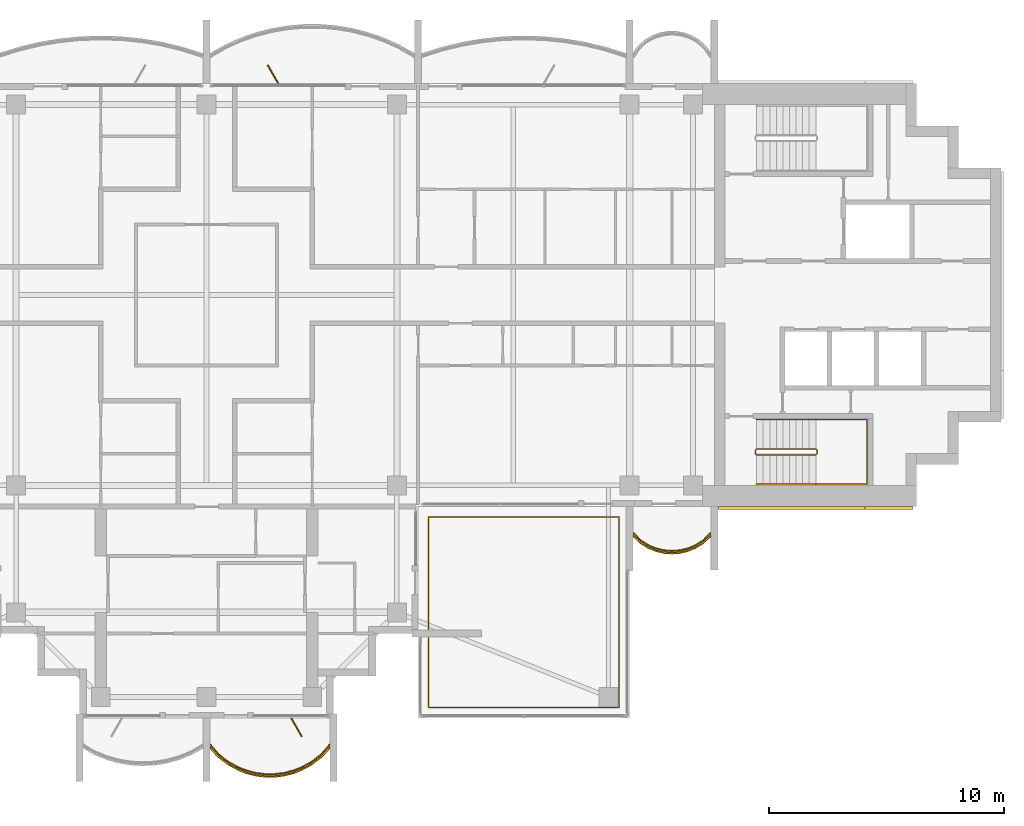
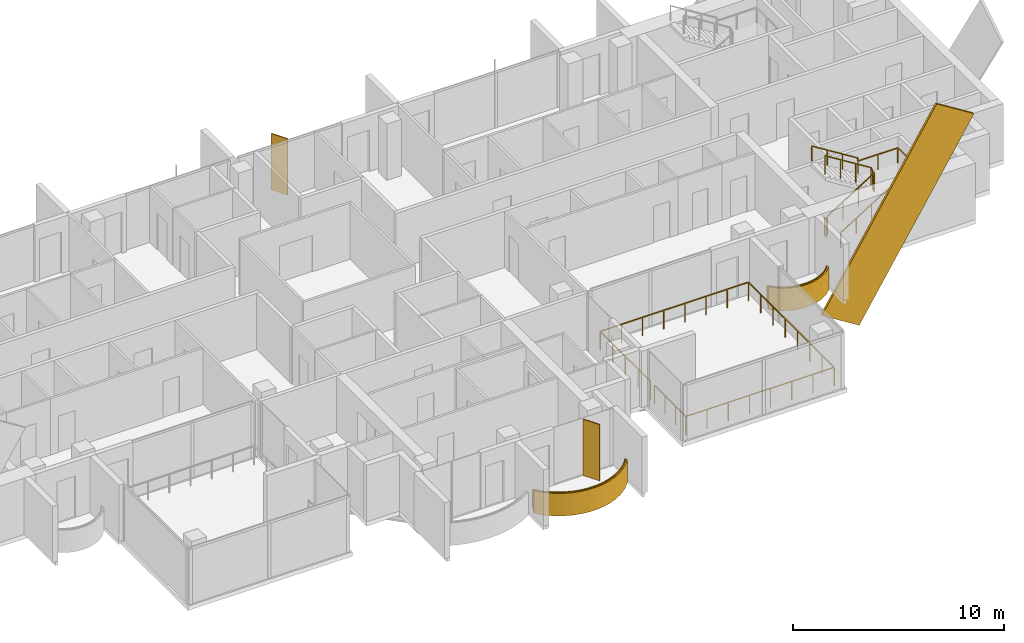
# One storey, part 15 of 16: 5 railings, 3 coverings, 2 shading devices.
"""IFC4 building model written with IfcOpenShell, lengths in metres."""

from ifc_helpers import new_model, si_unit, direction, frame, origin, origin_2d, place, context, subcontext, project, spatial, polyline, rectangle, outline, extrude, material, layer, layer_set, material_profile, profile_set, type_object, element, save


model = new_model("IFC4")

# Units and contexts
model_context = context("Model", 3, precision=1e-05, world=origin(), true_north=direction((0.0, 1.0)))
body_context = subcontext(model_context, "Body", "Model", "MODEL_VIEW")
ifc_project = project(units=[si_unit("LENGTHUNIT", "METRE"), si_unit("AREAUNIT", "SQUARE_METRE"), si_unit("VOLUMEUNIT", "CUBIC_METRE"), si_unit("PLANEANGLEUNIT", "RADIAN"), si_unit("MASSUNIT", "GRAM", prefix="KILO")], contexts=[model_context])

# Site, building, storey
site_placement = place(None, origin())
site = spatial("IfcSite", under=ifc_project, at=site_placement, CompositionType="ELEMENT")
building_placement = place(site_placement, origin())
building = spatial("IfcBuilding", under=site, at=building_placement, Name="Perihelion Cross Residences", CompositionType="ELEMENT")
storey_placement = place(building_placement, frame((0.0, 0.0, 239.5)))
storey = spatial("IfcBuildingStorey", under=building, at=storey_placement, Name="L60", CompositionType="ELEMENT", Elevation=239.5)

# Coverings
ifc_material_1 = material(Name="Bronze anodised aluminium", Category="aluminium")
ifc_layer_1 = layer(ifc_material_1, 0.070068359375)
ifc_layer_set_1 = layer_set([ifc_layer_1], Name="Balcony fascia 1300")
covering_type_1 = type_object("IfcCoveringType", Name="Balcony fascia 1300", PredefinedType="CLADDING", material=ifc_layer_set_1)
covering_1_placement = place(storey_placement, frame((0.0, 0.0, -0.199951171875)))
element("IfcCovering", 1, at=covering_1_placement, inside=storey, type_object=covering_type_1, Name="Fascia BF1 L60 south tip south bay 2", PredefinedType="CLADDING", context=body_context, shape_type="SweptSolid", body=[
    extrude(outline(polyline([(0.4951171875, -19.674072265625), (0.89599609375, -19.982666015625), (1.296875, -20.20654296875), (1.69775390625, -20.364013671875), (2.0986328125, -20.464599609375), (2.49951171875, -20.513916015625), (2.900390625, -20.513916015625), (3.30126953125, -20.464599609375), (3.7021484375, -20.364013671875), (4.10302734375, -20.20654296875), (4.50390625, -19.982666015625), (4.90478515625, -19.674072265625), (5.25, -19.302734375), (5.25, -19.199951171875), (4.857666015625, -19.622314453125), (4.46533203125, -19.924072265625), (4.072998046875, -20.143310546875), (3.6806640625, -20.29736328125), (3.28857421875, -20.39599609375), (2.896240234375, -20.444091796875), (2.50390625, -20.444091796875), (2.111572265625, -20.39599609375), (1.71923828125, -20.29736328125), (1.326904296875, -20.143310546875), (0.9345703125, -19.924072265625), (0.542236328125, -19.622314453125), (0.14990234375, -19.199951171875), (0.14990234375, -19.302734375), (0.4951171875, -19.674072265625)])), origin(), (0.0, 0.0, 1.0), 1.300048828125),
])
covering_2_placement = place(storey_placement, frame((0.0, 0.0, -0.199951171875)))
element("IfcCovering", 2, at=covering_2_placement, inside=storey, type_object=covering_type_1, Name="Fascia BF1 L60 east side south bay 2", PredefinedType="CLADDING", context=body_context, shape_type="SweptSolid", body=[
    extrude(outline(polyline([(18.4375, -10.56298828125), (18.778076171875, -10.77587890625), (19.11865234375, -10.914794921875), (19.45947265625, -10.994140625), (19.800048828125, -11.02001953125), (20.140625, -10.994140625), (20.481201171875, -10.914794921875), (20.82177734375, -10.77587890625), (21.16259765625, -10.56298828125), (21.449951171875, -10.295654296875), (21.449951171875, -10.199951171875), (21.1201171875, -10.507568359375), (20.7900390625, -10.71337890625), (20.4599609375, -10.84814453125), (20.1298828125, -10.925048828125), (19.800048828125, -10.949951171875), (19.469970703125, -10.925048828125), (19.139892578125, -10.84814453125), (18.81005859375, -10.71337890625), (18.47998046875, -10.507568359375), (18.14990234375, -10.199951171875), (18.14990234375, -10.295654296875), (18.4375, -10.56298828125)])), origin(), (0.0, 0.0, 1.0), 1.300048828125),
])

# Railings
ifc_material_2 = material(Name="Bronze anodised aluminium", Category="aluminium")
railing_type_1 = type_object("IfcRailingType", Name="Balcony guard 1100", PredefinedType="GUARDRAIL", material=ifc_material_2)
railing_1_placement = place(storey_placement, frame((0.175048828125, -19.139892578125, 0.0)))
element("IfcRailing", 3, at=railing_1_placement, inside=storey, type_object=railing_type_1, Name="Guard GU1 L60 south tip south bay 2 balcony", PredefinedType="GUARDRAIL", context=body_context, shape_type="SweptSolid", body=[
    extrude(rectangle(XDim=0.048095703125, YDim=0.048095703125, at=origin_2d()), frame((0.0, 0.0, 1.076171875), z_axis=(0.656092309534, -0.754680648599, 0.0), x_axis=(0.754680648599, 0.656092309534, 0.0)), (0.0, 0.0, 1.0), 0.5595703125),
    extrude(rectangle(XDim=0.048095703125, YDim=0.048095703125, at=origin_2d()), frame((0.3671875, -0.42236328125, 1.076171875), z_axis=(0.792660660899, -0.60966308455, 0.0), x_axis=(0.60966308455, 0.792660660899, 0.0)), (0.0, 0.0, 1.0), 0.494873046875),
    extrude(rectangle(XDim=0.048095703125, YDim=0.048095703125, at=origin_2d()), frame((0.759521484375, -0.72412109375, 1.076171875), z_axis=(0.872950285698, -0.487809182674, 0.0), x_axis=(0.487809182674, 0.872950285698, 0.0)), (0.0, 0.0, 1.0), 0.449462890625),
    extrude(rectangle(XDim=0.048095703125, YDim=0.048095703125, at=origin_2d()), frame((1.15185546875, -0.943359375, 1.076171875), z_axis=(0.930814842219, -0.365491079925, 0.0), x_axis=(0.365491079925, 0.930814842219, 0.0)), (0.0, 0.0, 1.0), 0.42138671875),
    extrude(rectangle(XDim=0.048095703125, YDim=0.048095703125, at=origin_2d()), frame((1.544189453125, -1.097412109375, 1.076171875), z_axis=(0.969822159145, -0.243813411509, 0.0), x_axis=(0.243813411509, 0.969822159145, 0.0)), (0.0, 0.0, 1.0), 0.404541015625),
    extrude(rectangle(XDim=0.048095703125, YDim=0.048095703125, at=origin_2d()), frame((1.9365234375, -1.196044921875, 1.076171875), z_axis=(0.992569651699, -0.121677797999, 0.0), x_axis=(0.121677797999, 0.992569651699, 0.0)), (0.0, 0.0, 1.0), 0.395263671875),
    extrude(rectangle(XDim=0.048095703125, YDim=0.048095703125, at=origin_2d()), frame((2.328857421875, -1.244140625, 1.076171875), z_axis=(1.0, 0.0, 0.0), x_axis=(0.0, 1.0, 0.0)), (0.0, 0.0, 1.0), 0.392333984375),
    extrude(rectangle(XDim=0.048095703125, YDim=0.048095703125, at=origin_2d()), frame((2.72119140625, -1.244140625, 1.076171875), z_axis=(0.992569651699, 0.121677797999, 0.0), x_axis=(-0.121677797999, 0.992569651699, 0.0)), (0.0, 0.0, 1.0), 0.395263671875),
    extrude(rectangle(XDim=0.048095703125, YDim=0.048095703125, at=origin_2d()), frame((3.113525390625, -1.196044921875, 1.076171875), z_axis=(0.969786252666, 0.243956193074, 0.0), x_axis=(-0.243956193074, 0.969786252666, 0.0)), (0.0, 0.0, 1.0), 0.404296875),
    extrude(rectangle(XDim=0.048095703125, YDim=0.048095703125, at=origin_2d()), frame((3.505615234375, -1.097412109375, 1.076171875), z_axis=(0.930814842219, 0.365491079925, 0.0), x_axis=(-0.365491079925, 0.930814842219, 0.0)), (0.0, 0.0, 1.0), 0.42138671875),
    extrude(rectangle(XDim=0.048095703125, YDim=0.048095703125, at=origin_2d()), frame((3.89794921875, -0.943359375, 1.076171875), z_axis=(0.872950285698, 0.487809182674, 0.0), x_axis=(-0.487809182674, 0.872950285698, 0.0)), (0.0, 0.0, 1.0), 0.449462890625),
    extrude(rectangle(XDim=0.048095703125, YDim=0.048095703125, at=origin_2d()), frame((4.290283203125, -0.72412109375, 1.076171875), z_axis=(0.792660660899, 0.60966308455, 0.0), x_axis=(-0.60966308455, 0.792660660899, 0.0)), (0.0, 0.0, 1.0), 0.494873046875),
    extrude(rectangle(XDim=0.048095703125, YDim=0.048095703125, at=origin_2d()), frame((4.6826171875, -0.42236328125, 1.076171875), z_axis=(0.656340655493, 0.754464673757, 0.0), x_axis=(-0.754464673757, 0.656340655493, 0.0)), (0.0, 0.0, 1.0), 0.559814453125),
    extrude(rectangle(XDim=0.0419921875, YDim=0.0419921875, at=origin_2d()), origin(), (0.0, 0.0, 1.0), 1.052001953125),
    extrude(rectangle(XDim=0.0419921875, YDim=0.0419921875, at=origin_2d()), frame((0.3671875, -0.42236328125, 0.0)), (0.0, 0.0, 1.0), 1.052001953125),
    extrude(rectangle(XDim=0.0419921875, YDim=0.0419921875, at=origin_2d()), frame((0.759521484375, -0.72412109375, 0.0)), (0.0, 0.0, 1.0), 1.052001953125),
    extrude(rectangle(XDim=0.0419921875, YDim=0.0419921875, at=origin_2d()), frame((1.15185546875, -0.943359375, 0.0)), (0.0, 0.0, 1.0), 1.052001953125),
    extrude(rectangle(XDim=0.0419921875, YDim=0.0419921875, at=origin_2d()), frame((1.544189453125, -1.097412109375, 0.0)), (0.0, 0.0, 1.0), 1.052001953125),
    extrude(rectangle(XDim=0.0419921875, YDim=0.0419921875, at=origin_2d()), frame((1.9365234375, -1.196044921875, 0.0)), (0.0, 0.0, 1.0), 1.052001953125),
    extrude(rectangle(XDim=0.0419921875, YDim=0.0419921875, at=origin_2d()), frame((2.328857421875, -1.244140625, 0.0)), (0.0, 0.0, 1.0), 1.052001953125),
    extrude(rectangle(XDim=0.0419921875, YDim=0.0419921875, at=origin_2d()), frame((2.72119140625, -1.244140625, 0.0)), (0.0, 0.0, 1.0), 1.052001953125),
    extrude(rectangle(XDim=0.0419921875, YDim=0.0419921875, at=origin_2d()), frame((3.113525390625, -1.196044921875, 0.0)), (0.0, 0.0, 1.0), 1.052001953125),
    extrude(rectangle(XDim=0.0419921875, YDim=0.0419921875, at=origin_2d()), frame((3.505615234375, -1.097412109375, 0.0)), (0.0, 0.0, 1.0), 1.052001953125),
    extrude(rectangle(XDim=0.0419921875, YDim=0.0419921875, at=origin_2d()), frame((3.89794921875, -0.943359375, 0.0)), (0.0, 0.0, 1.0), 1.052001953125),
    extrude(rectangle(XDim=0.0419921875, YDim=0.0419921875, at=origin_2d()), frame((4.290283203125, -0.72412109375, 0.0)), (0.0, 0.0, 1.0), 1.052001953125),
    extrude(rectangle(XDim=0.0419921875, YDim=0.0419921875, at=origin_2d()), frame((4.6826171875, -0.42236328125, 0.0)), (0.0, 0.0, 1.0), 1.052001953125),
    extrude(rectangle(XDim=0.0419921875, YDim=0.0419921875, at=origin_2d()), frame((5.050048828125, 0.0, 0.0)), (0.0, 0.0, 1.0), 1.052001953125),
])
railing_2_placement = place(storey_placement, frame((18.175048828125, -10.139892578125, 0.0)))
element("IfcRailing", 4, at=railing_2_placement, inside=storey, type_object=railing_type_1, Name="Guard GU1 L60 east side south bay 2 balcony", PredefinedType="GUARDRAIL", context=body_context, shape_type="SweptSolid", body=[
    extrude(rectangle(XDim=0.048095703125, YDim=0.048095703125, at=origin_2d()), frame((0.0, 0.0, 1.076171875), z_axis=(0.703999905859, -0.710200065158, 0.0), x_axis=(0.710200065158, 0.703999905859, 0.0)), (0.0, 0.0, 1.0), 0.43310546875),
    extrude(rectangle(XDim=0.048095703125, YDim=0.048095703125, at=origin_2d()), frame((0.304931640625, -0.3076171875, 1.076171875), z_axis=(0.848280173265, -0.529547682127, 0.0), x_axis=(0.529547682127, 0.848280173265, 0.0)), (0.0, 0.0, 1.0), 0.38916015625),
    extrude(rectangle(XDim=0.048095703125, YDim=0.048095703125, at=origin_2d()), frame((0.635009765625, -0.513671875, 1.076171875), z_axis=(0.925950379976, -0.377645195682, 0.0), x_axis=(0.377645195682, 0.925950379976, 0.0)), (0.0, 0.0, 1.0), 0.356201171875),
    extrude(rectangle(XDim=0.048095703125, YDim=0.048095703125, at=origin_2d()), frame((0.96484375, -0.648193359375, 1.076171875), z_axis=(0.97391554583, -0.226910796551, 0.0), x_axis=(0.226910796551, 0.97391554583, 0.0)), (0.0, 0.0, 1.0), 0.3388671875),
    extrude(rectangle(XDim=0.048095703125, YDim=0.048095703125, at=origin_2d()), frame((1.294921875, -0.72509765625, 1.076171875), z_axis=(0.997166208737, -0.075229995038, 0.0), x_axis=(0.075229995038, 0.997166208737, 0.0)), (0.0, 0.0, 1.0), 0.3310546875),
    extrude(rectangle(XDim=0.048095703125, YDim=0.048095703125, at=origin_2d()), frame((1.625, -0.75, 1.076171875), z_axis=(0.997162029931, 0.075285364214, 0.0), x_axis=(-0.075285364214, 0.997162029931, 0.0)), (0.0, 0.0, 1.0), 0.330810546875),
    extrude(rectangle(XDim=0.048095703125, YDim=0.048095703125, at=origin_2d()), frame((1.954833984375, -0.72509765625, 1.076171875), z_axis=(0.97391554583, 0.226910796551, 0.0), x_axis=(-0.226910796551, 0.97391554583, 0.0)), (0.0, 0.0, 1.0), 0.3388671875),
    extrude(rectangle(XDim=0.048095703125, YDim=0.048095703125, at=origin_2d()), frame((2.284912109375, -0.648193359375, 1.076171875), z_axis=(0.926048033295, 0.377405670374, 0.0), x_axis=(-0.377405670374, 0.926048033295, 0.0)), (0.0, 0.0, 1.0), 0.3564453125),
    extrude(rectangle(XDim=0.048095703125, YDim=0.048095703125, at=origin_2d()), frame((2.614990234375, -0.513671875, 1.076171875), z_axis=(0.848280173265, 0.529547682127, 0.0), x_axis=(-0.529547682127, 0.848280173265, 0.0)), (0.0, 0.0, 1.0), 0.38916015625),
    extrude(rectangle(XDim=0.048095703125, YDim=0.048095703125, at=origin_2d()), frame((2.945068359375, -0.3076171875, 1.076171875), z_axis=(0.703999905859, 0.710200065158, 0.0), x_axis=(-0.710200065158, 0.703999905859, 0.0)), (0.0, 0.0, 1.0), 0.43310546875),
    extrude(rectangle(XDim=0.0419921875, YDim=0.0419921875, at=origin_2d()), origin(), (0.0, 0.0, 1.0), 1.052001953125),
    extrude(rectangle(XDim=0.0419921875, YDim=0.0419921875, at=origin_2d()), frame((0.304931640625, -0.3076171875, 0.0)), (0.0, 0.0, 1.0), 1.052001953125),
    extrude(rectangle(XDim=0.0419921875, YDim=0.0419921875, at=origin_2d()), frame((0.635009765625, -0.513671875, 0.0)), (0.0, 0.0, 1.0), 1.052001953125),
    extrude(rectangle(XDim=0.0419921875, YDim=0.0419921875, at=origin_2d()), frame((0.96484375, -0.648193359375, 0.0)), (0.0, 0.0, 1.0), 1.052001953125),
    extrude(rectangle(XDim=0.0419921875, YDim=0.0419921875, at=origin_2d()), frame((1.294921875, -0.72509765625, 0.0)), (0.0, 0.0, 1.0), 1.052001953125),
    extrude(rectangle(XDim=0.0419921875, YDim=0.0419921875, at=origin_2d()), frame((1.625, -0.75, 0.0)), (0.0, 0.0, 1.0), 1.052001953125),
    extrude(rectangle(XDim=0.0419921875, YDim=0.0419921875, at=origin_2d()), frame((1.954833984375, -0.72509765625, 0.0)), (0.0, 0.0, 1.0), 1.052001953125),
    extrude(rectangle(XDim=0.0419921875, YDim=0.0419921875, at=origin_2d()), frame((2.284912109375, -0.648193359375, 0.0)), (0.0, 0.0, 1.0), 1.052001953125),
    extrude(rectangle(XDim=0.0419921875, YDim=0.0419921875, at=origin_2d()), frame((2.614990234375, -0.513671875, 0.0)), (0.0, 0.0, 1.0), 1.052001953125),
    extrude(rectangle(XDim=0.0419921875, YDim=0.0419921875, at=origin_2d()), frame((2.945068359375, -0.3076171875, 0.0)), (0.0, 0.0, 1.0), 1.052001953125),
    extrude(rectangle(XDim=0.0419921875, YDim=0.0419921875, at=origin_2d()), frame((3.25, 0.0, 0.0)), (0.0, 0.0, 1.0), 1.052001953125),
])
railing_3_placement = place(storey_placement, frame((9.449951171875, -14.2099609375, 0.0)))
element("IfcRailing", 5, at=railing_3_placement, inside=storey, type_object=railing_type_1, Name="Guard GU1 L60 pocket south-east 1", PredefinedType="GUARDRAIL", context=body_context, shape_type="SweptSolid", body=[
    extrude(rectangle(XDim=0.048095703125, YDim=0.048095703125, at=origin_2d()), frame((0.0, 0.0, 1.076171875), z_axis=(0.0, 1.0, 0.0), x_axis=(-1.0, 0.0, 0.0)), (0.0, 0.0, 1.0), 4.760009765625),
    extrude(rectangle(XDim=0.048095703125, YDim=0.048095703125, at=origin_2d()), frame((0.0, 4.760009765625, 1.076171875), z_axis=(1.0, 0.0, 0.0), x_axis=(0.0, 1.0, 0.0)), (0.0, 0.0, 1.0), 8.10009765625),
    extrude(rectangle(XDim=0.048095703125, YDim=0.048095703125, at=origin_2d()), frame((8.10009765625, 4.760009765625, 1.076171875), z_axis=(0.0, -1.0, 0.0), x_axis=(1.0, 0.0, 0.0)), (0.0, 0.0, 1.0), 8.10009765625),
    extrude(rectangle(XDim=0.048095703125, YDim=0.048095703125, at=origin_2d()), frame((8.10009765625, -3.340087890625, 1.076171875), z_axis=(-1.0, 0.0, 0.0), x_axis=(0.0, -1.0, 0.0)), (0.0, 0.0, 1.0), 8.10009765625),
    extrude(rectangle(XDim=0.048095703125, YDim=0.048095703125, at=origin_2d()), frame((0.0, -3.340087890625, 1.076171875), z_axis=(0.0, 1.0, 0.0), x_axis=(-1.0, 0.0, 0.0)), (0.0, 0.0, 1.0), 2.9599609375),
    extrude(rectangle(XDim=0.0419921875, YDim=0.0419921875, at=origin_2d()), origin(), (0.0, 0.0, 1.0), 1.052001953125),
    extrude(rectangle(XDim=0.0419921875, YDim=0.0419921875, at=origin_2d()), frame((0.0, 1.18994140625, 0.0)), (0.0, 0.0, 1.0), 1.052001953125),
    extrude(rectangle(XDim=0.0419921875, YDim=0.0419921875, at=origin_2d()), frame((0.0, 2.3798828125, 0.0)), (0.0, 0.0, 1.0), 1.052001953125),
    extrude(rectangle(XDim=0.0419921875, YDim=0.0419921875, at=origin_2d()), frame((0.0, 3.570068359375, 0.0)), (0.0, 0.0, 1.0), 1.052001953125),
    extrude(rectangle(XDim=0.0419921875, YDim=0.0419921875, at=origin_2d()), frame((0.0, 4.760009765625, 0.0)), (0.0, 0.0, 1.0), 1.052001953125),
    extrude(rectangle(XDim=0.0419921875, YDim=0.0419921875, at=origin_2d()), frame((1.1572265625, 4.760009765625, 0.0)), (0.0, 0.0, 1.0), 1.052001953125),
    extrude(rectangle(XDim=0.0419921875, YDim=0.0419921875, at=origin_2d()), frame((2.314208984375, 4.760009765625, 0.0)), (0.0, 0.0, 1.0), 1.052001953125),
    extrude(rectangle(XDim=0.0419921875, YDim=0.0419921875, at=origin_2d()), frame((3.471435546875, 4.760009765625, 0.0)), (0.0, 0.0, 1.0), 1.052001953125),
    extrude(rectangle(XDim=0.0419921875, YDim=0.0419921875, at=origin_2d()), frame((4.628662109375, 4.760009765625, 0.0)), (0.0, 0.0, 1.0), 1.052001953125),
    extrude(rectangle(XDim=0.0419921875, YDim=0.0419921875, at=origin_2d()), frame((5.785888671875, 4.760009765625, 0.0)), (0.0, 0.0, 1.0), 1.052001953125),
    extrude(rectangle(XDim=0.0419921875, YDim=0.0419921875, at=origin_2d()), frame((6.94287109375, 4.760009765625, 0.0)), (0.0, 0.0, 1.0), 1.052001953125),
    extrude(rectangle(XDim=0.0419921875, YDim=0.0419921875, at=origin_2d()), frame((8.10009765625, 4.760009765625, 0.0)), (0.0, 0.0, 1.0), 1.052001953125),
    extrude(rectangle(XDim=0.0419921875, YDim=0.0419921875, at=origin_2d()), frame((8.10009765625, 3.602783203125, 0.0)), (0.0, 0.0, 1.0), 1.052001953125),
    extrude(rectangle(XDim=0.0419921875, YDim=0.0419921875, at=origin_2d()), frame((8.10009765625, 2.44580078125, 0.0)), (0.0, 0.0, 1.0), 1.052001953125),
    extrude(rectangle(XDim=0.0419921875, YDim=0.0419921875, at=origin_2d()), frame((8.10009765625, 1.28857421875, 0.0)), (0.0, 0.0, 1.0), 1.052001953125),
    extrude(rectangle(XDim=0.0419921875, YDim=0.0419921875, at=origin_2d()), frame((8.10009765625, 0.13134765625, 0.0)), (0.0, 0.0, 1.0), 1.052001953125),
    extrude(rectangle(XDim=0.0419921875, YDim=0.0419921875, at=origin_2d()), frame((8.10009765625, -1.02587890625, 0.0)), (0.0, 0.0, 1.0), 1.052001953125),
    extrude(rectangle(XDim=0.0419921875, YDim=0.0419921875, at=origin_2d()), frame((8.10009765625, -2.182861328125, 0.0)), (0.0, 0.0, 1.0), 1.052001953125),
    extrude(rectangle(XDim=0.0419921875, YDim=0.0419921875, at=origin_2d()), frame((8.10009765625, -3.340087890625, 0.0)), (0.0, 0.0, 1.0), 1.052001953125),
    extrude(rectangle(XDim=0.0419921875, YDim=0.0419921875, at=origin_2d()), frame((6.94287109375, -3.340087890625, 0.0)), (0.0, 0.0, 1.0), 1.052001953125),
    extrude(rectangle(XDim=0.0419921875, YDim=0.0419921875, at=origin_2d()), frame((5.785888671875, -3.340087890625, 0.0)), (0.0, 0.0, 1.0), 1.052001953125),
    extrude(rectangle(XDim=0.0419921875, YDim=0.0419921875, at=origin_2d()), frame((4.628662109375, -3.340087890625, 0.0)), (0.0, 0.0, 1.0), 1.052001953125),
    extrude(rectangle(XDim=0.0419921875, YDim=0.0419921875, at=origin_2d()), frame((3.471435546875, -3.340087890625, 0.0)), (0.0, 0.0, 1.0), 1.052001953125),
    extrude(rectangle(XDim=0.0419921875, YDim=0.0419921875, at=origin_2d()), frame((2.314208984375, -3.340087890625, 0.0)), (0.0, 0.0, 1.0), 1.052001953125),
    extrude(rectangle(XDim=0.0419921875, YDim=0.0419921875, at=origin_2d()), frame((1.1572265625, -3.340087890625, 0.0)), (0.0, 0.0, 1.0), 1.052001953125),
    extrude(rectangle(XDim=0.0419921875, YDim=0.0419921875, at=origin_2d()), frame((0.0, -3.340087890625, 0.0)), (0.0, 0.0, 1.0), 1.052001953125),
    extrude(rectangle(XDim=0.0419921875, YDim=0.0419921875, at=origin_2d()), frame((0.0, -2.353515625, 0.0)), (0.0, 0.0, 1.0), 1.052001953125),
    extrude(rectangle(XDim=0.0419921875, YDim=0.0419921875, at=origin_2d()), frame((0.0, -1.36669921875, 0.0)), (0.0, 0.0, 1.0), 1.052001953125),
    extrude(rectangle(XDim=0.0419921875, YDim=0.0419921875, at=origin_2d()), frame((0.0, -0.380126953125, 0.0)), (0.0, 0.0, 1.0), 1.052001953125),
])

# Covering
ifc_material_3 = material(Name="Bronze anodised aluminium", Category="aluminium")
ifc_material_profile = material_profile(ifc_material_3, rectangle(XDim=0.125, YDim=2.39990234375, at=origin_2d()), Name="Bronze cladding band 2400")
ifc_profile_set = profile_set([ifc_material_profile], Name="Bronze anodised aluminium")
covering_type_2 = type_object("IfcCoveringType", Name="Bronze cladding band 2400", PredefinedType="CLADDING", material=ifc_profile_set)
covering_3_placement = place(storey_placement, frame((22.767578125, -9.0625, -3.15478515625), z_axis=(0.529915403603, 0.0, 0.848050508534), x_axis=(0.0, 1.0, 0.0)))
element("IfcCovering", 6, at=covering_3_placement, inside=storey, type_object=covering_type_2, Name="Core cladding band, east core", PredefinedType="CLADDING", context=body_context, shape_type="SweptSolid", body=[
    extrude(rectangle(XDim=0.125, YDim=2.39990234375, at=origin_2d()), origin(), (0.0, 0.0, 1.0), 11.822021484375),
])

# Shading devices
ifc_material_4 = material(Name="Bronze anodised aluminium", Category="aluminium")
ifc_layer_2 = layer(ifc_material_4, 0.050048828125)
ifc_layer_set_2 = layer_set([ifc_layer_2], Name="Bronze fin 900")
shading_device_type = type_object("IfcShadingDeviceType", Name="Bronze fin 900", PredefinedType="USERDEFINED", material=ifc_layer_set_2)
for number, where, z_axis, x_axis, name in (
    (7, (2.824951171875, 9.3896484375, 0.0), (0.0, 0.0, 1.0), (-0.5, 0.866025403784, 0.0), "Fin FN1 L60 north side east bay 1"),
    (8, (3.824951171875, -18.3896484375, 0.0), (0.0, 0.0, 1.0), (0.5, -0.866025403784, 0.0), "Fin FN1 L60 south tip south bay 2"),
):
    element("IfcShadingDevice", number, at=place(storey_placement, frame(where, z_axis=z_axis, x_axis=x_axis)), inside=storey, type_object=shading_device_type, Name=name, ObjectType="FIN", PredefinedType="USERDEFINED", context=body_context, shape_type="SweptSolid", body=[
        extrude(rectangle(XDim=0.89990234375, YDim=0.050048828125, at=origin_2d()), origin(), (0.0, 0.0, 1.0), 3.25),
    ])

# Railings
ifc_material_5 = material(Name="Stainless steel", Category="steel")
railing_type_2 = type_object("IfcRailingType", Name="Stair guard 1100", PredefinedType="GUARDRAIL", material=ifc_material_5)
railing_4_placement = place(storey_placement, frame((23.35009765625, -6.60009765625, 0.0)))
element("IfcRailing", 9, at=railing_4_placement, inside=storey, type_object=railing_type_2, Name="L60 ST-E2 stair guard 1", PredefinedType="GUARDRAIL", context=body_context, shape_type="SweptSolid", body=[
    extrude(rectangle(XDim=0.048095703125, YDim=0.048095703125, at=origin_2d()), frame((0.0, 0.0, 1.076171875), z_axis=(0.0, -1.0, 0.0), x_axis=(1.0, 0.0, 0.0)), (0.0, 0.0, 1.0), 0.14990234375),
    extrude(rectangle(XDim=0.048095703125, YDim=0.048095703125, at=origin_2d()), frame((0.0, -0.14990234375, 1.076171875), z_axis=(0.263862480399, -0.265155923931, 0.927399011991), x_axis=(0.708833529934, 0.705375805398, 0.0)), (0.0, 0.0, 1.0), 0.188720703125),
    extrude(rectangle(XDim=0.048095703125, YDim=0.048095703125, at=origin_2d()), frame((0.0498046875, -0.199951171875, 1.2509765625), z_axis=(0.848007534815, 0.0, 0.529984170421), x_axis=(0.0, 1.0, 0.0)), (0.0, 0.0, 1.0), 2.9716796875),
    extrude(rectangle(XDim=0.048095703125, YDim=0.048095703125, at=origin_2d()), frame((2.56982421875, -0.199951171875, 2.826171875), z_axis=(0.707106781187, 0.707106781187, 0.0), x_axis=(-0.707106781187, 0.707106781187, 0.0)), (0.0, 0.0, 1.0), 0.07080078125),
    extrude(rectangle(XDim=0.048095703125, YDim=0.048095703125, at=origin_2d()), frame((2.619873046875, -0.14990234375, 2.826171875), z_axis=(0.0, 1.0, 0.0), x_axis=(-1.0, 0.0, 0.0)), (0.0, 0.0, 1.0), 0.14990234375),
    extrude(rectangle(XDim=0.048095703125, YDim=0.048095703125, at=origin_2d()), frame((2.619873046875, 0.0, 2.826171875), z_axis=(-0.265065253269, 0.265065253269, 0.927081885822), x_axis=(-0.707106781187, -0.707106781187, 0.0)), (0.0, 0.0, 1.0), 0.188720703125),
    extrude(rectangle(XDim=0.048095703125, YDim=0.048095703125, at=origin_2d()), frame((2.56982421875, 0.050048828125, 3.0009765625), z_axis=(-0.848007534815, 0.0, 0.529984170421), x_axis=(0.0, -1.0, 0.0)), (0.0, 0.0, 1.0), 2.9716796875),
    extrude(rectangle(XDim=0.0419921875, YDim=0.0419921875, at=origin_2d()), origin(), (0.0, 0.0, 1.0), 1.052001953125),
    extrude(rectangle(XDim=0.0419921875, YDim=0.0419921875, at=origin_2d()), frame((0.0, -0.14990234375, 0.0)), (0.0, 0.0, 1.0), 1.052001953125),
    extrude(rectangle(XDim=0.0419921875, YDim=0.0419921875, at=origin_2d()), frame((0.0498046875, -0.199951171875, 0.175048828125)), (0.0, 0.0, 1.0), 1.052001953125),
    extrude(rectangle(XDim=0.0419921875, YDim=0.0419921875, at=origin_2d()), frame((0.889892578125, -0.199951171875, 0.699951171875)), (0.0, 0.0, 1.0), 1.052001953125),
    extrude(rectangle(XDim=0.0419921875, YDim=0.0419921875, at=origin_2d()), frame((1.729736328125, -0.199951171875, 1.22509765625)), (0.0, 0.0, 1.0), 1.052001953125),
    extrude(rectangle(XDim=0.0419921875, YDim=0.0419921875, at=origin_2d()), frame((2.56982421875, -0.199951171875, 1.75)), (0.0, 0.0, 1.0), 1.052001953125),
    extrude(rectangle(XDim=0.0419921875, YDim=0.0419921875, at=origin_2d()), frame((2.619873046875, -0.14990234375, 1.75)), (0.0, 0.0, 1.0), 1.052001953125),
    extrude(rectangle(XDim=0.0419921875, YDim=0.0419921875, at=origin_2d()), frame((2.619873046875, 0.0, 1.75)), (0.0, 0.0, 1.0), 1.052001953125),
    extrude(rectangle(XDim=0.0419921875, YDim=0.0419921875, at=origin_2d()), frame((2.56982421875, 0.050048828125, 1.925048828125)), (0.0, 0.0, 1.0), 1.052001953125),
    extrude(rectangle(XDim=0.0419921875, YDim=0.0419921875, at=origin_2d()), frame((1.729736328125, 0.050048828125, 2.449951171875)), (0.0, 0.0, 1.0), 1.052001953125),
    extrude(rectangle(XDim=0.0419921875, YDim=0.0419921875, at=origin_2d()), frame((0.889892578125, 0.050048828125, 2.97509765625)), (0.0, 0.0, 1.0), 1.052001953125),
    extrude(rectangle(XDim=0.0419921875, YDim=0.0419921875, at=origin_2d()), frame((0.0498046875, 0.050048828125, 3.5)), (0.0, 0.0, 1.0), 1.052001953125),
])
ifc_material_6 = material(Name="Stainless steel", Category="steel")
railing_type_3 = type_object("IfcRailingType", Name="Stair handrail 900", PredefinedType="HANDRAIL", material=ifc_material_6)
railing_5_placement = place(storey_placement, frame((23.39990234375, -8.050048828125, 0.175048828125)))
element("IfcRailing", 10, at=railing_5_placement, inside=storey, type_object=railing_type_3, Name="L60 ST-E2 stair handrail 1", PredefinedType="HANDRAIL", context=body_context, shape_type="SweptSolid", body=[
    extrude(rectangle(XDim=0.048095703125, YDim=0.048095703125, at=origin_2d()), frame((0.0, 0.0, 0.8759765625), z_axis=(0.848007534815, 0.0, 0.529984170421), x_axis=(0.0, 1.0, 0.0)), (0.0, 0.0, 1.0), 2.9716796875),
    extrude(rectangle(XDim=0.048095703125, YDim=0.048095703125, at=origin_2d()), frame((2.52001953125, 0.0, 2.45068359375), z_axis=(1.0, 0.0, 0.0), x_axis=(0.0, 1.0, 0.0)), (0.0, 0.0, 1.0), 2.18017578125),
    extrude(rectangle(XDim=0.048095703125, YDim=0.048095703125, at=origin_2d()), frame((4.7001953125, 0.0, 2.45068359375), z_axis=(0.0, 1.0, 0.0), x_axis=(-1.0, 0.0, 0.0)), (0.0, 0.0, 1.0), 2.75),
    extrude(rectangle(XDim=0.048095703125, YDim=0.048095703125, at=origin_2d()), frame((4.7001953125, 2.75, 2.45068359375), z_axis=(-1.0, 0.0, 0.0), x_axis=(0.0, -1.0, 0.0)), (0.0, 0.0, 1.0), 2.18017578125),
    extrude(rectangle(XDim=0.048095703125, YDim=0.048095703125, at=origin_2d()), frame((2.52001953125, 2.75, 2.45068359375), z_axis=(0.0, 0.0, 1.0), x_axis=(1.0, 0.0, 0.0)), (0.0, 0.0, 1.0), 0.175048828125),
    extrude(rectangle(XDim=0.048095703125, YDim=0.048095703125, at=origin_2d()), frame((2.52001953125, 2.75, 2.6259765625), z_axis=(-0.848007534815, 0.0, 0.529984170421), x_axis=(0.0, -1.0, 0.0)), (0.0, 0.0, 1.0), 2.9716796875),
    extrude(rectangle(XDim=0.0419921875, YDim=0.0419921875, at=origin_2d()), origin(), (0.0, 0.0, 1.0), 0.851806640625),
    extrude(rectangle(XDim=0.0419921875, YDim=0.0419921875, at=origin_2d()), frame((0.840087890625, 0.0, 0.52490234375)), (0.0, 0.0, 1.0), 0.851806640625),
    extrude(rectangle(XDim=0.0419921875, YDim=0.0419921875, at=origin_2d()), frame((1.679931640625, 0.0, 1.050048828125)), (0.0, 0.0, 1.0), 0.851806640625),
    extrude(rectangle(XDim=0.0419921875, YDim=0.0419921875, at=origin_2d()), frame((2.52001953125, 0.0, 1.574951171875)), (0.0, 0.0, 1.0), 0.851806640625),
    extrude(rectangle(XDim=0.0419921875, YDim=0.0419921875, at=origin_2d()), frame((3.610107421875, 0.0, 1.574951171875)), (0.0, 0.0, 1.0), 0.851806640625),
    extrude(rectangle(XDim=0.0419921875, YDim=0.0419921875, at=origin_2d()), frame((4.7001953125, 0.0, 1.574951171875)), (0.0, 0.0, 1.0), 0.851806640625),
    extrude(rectangle(XDim=0.0419921875, YDim=0.0419921875, at=origin_2d()), frame((4.7001953125, 0.916748046875, 1.574951171875)), (0.0, 0.0, 1.0), 0.851806640625),
    extrude(rectangle(XDim=0.0419921875, YDim=0.0419921875, at=origin_2d()), frame((4.7001953125, 1.833251953125, 1.574951171875)), (0.0, 0.0, 1.0), 0.851806640625),
    extrude(rectangle(XDim=0.0419921875, YDim=0.0419921875, at=origin_2d()), frame((4.7001953125, 2.75, 1.574951171875)), (0.0, 0.0, 1.0), 0.851806640625),
    extrude(rectangle(XDim=0.0419921875, YDim=0.0419921875, at=origin_2d()), frame((3.610107421875, 2.75, 1.574951171875)), (0.0, 0.0, 1.0), 0.851806640625),
    extrude(rectangle(XDim=0.0419921875, YDim=0.0419921875, at=origin_2d()), frame((2.52001953125, 2.75, 1.574951171875)), (0.0, 0.0, 1.0), 0.851806640625),
    extrude(rectangle(XDim=0.0419921875, YDim=0.0419921875, at=origin_2d()), frame((2.52001953125, 2.75, 1.75)), (0.0, 0.0, 1.0), 0.851806640625),
    extrude(rectangle(XDim=0.0419921875, YDim=0.0419921875, at=origin_2d()), frame((1.679931640625, 2.75, 2.27490234375)), (0.0, 0.0, 1.0), 0.851806640625),
    extrude(rectangle(XDim=0.0419921875, YDim=0.0419921875, at=origin_2d()), frame((0.840087890625, 2.75, 2.800048828125)), (0.0, 0.0, 1.0), 0.851806640625),
    extrude(rectangle(XDim=0.0419921875, YDim=0.0419921875, at=origin_2d()), frame((0.0, 2.75, 3.324951171875)), (0.0, 0.0, 1.0), 0.851806640625),
])

save(model, "model.ifc")
